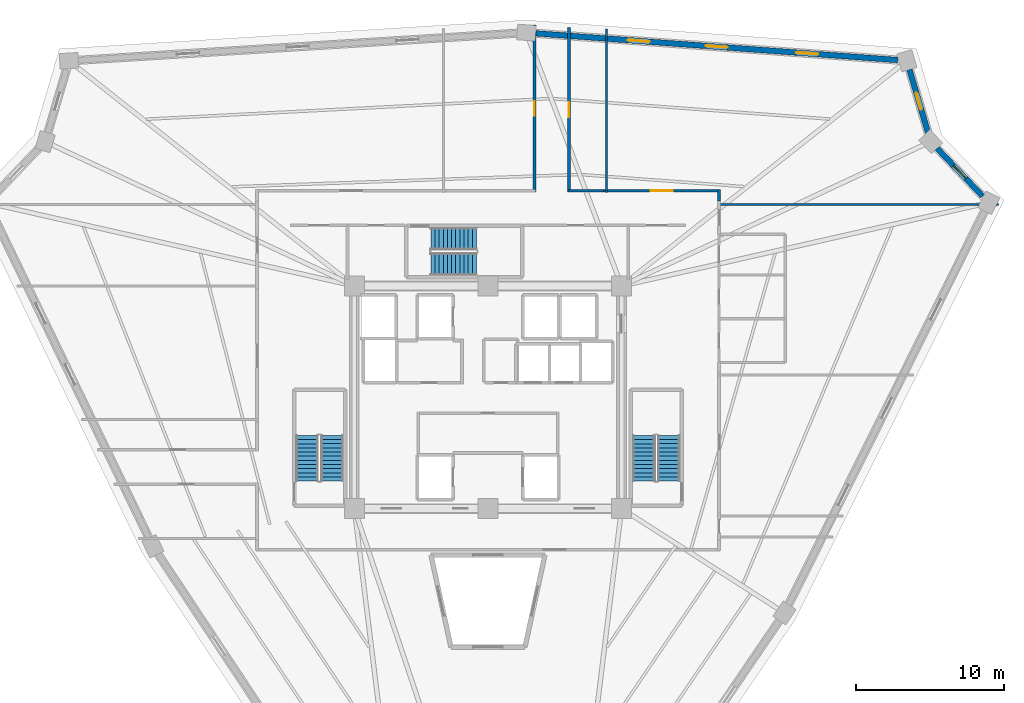
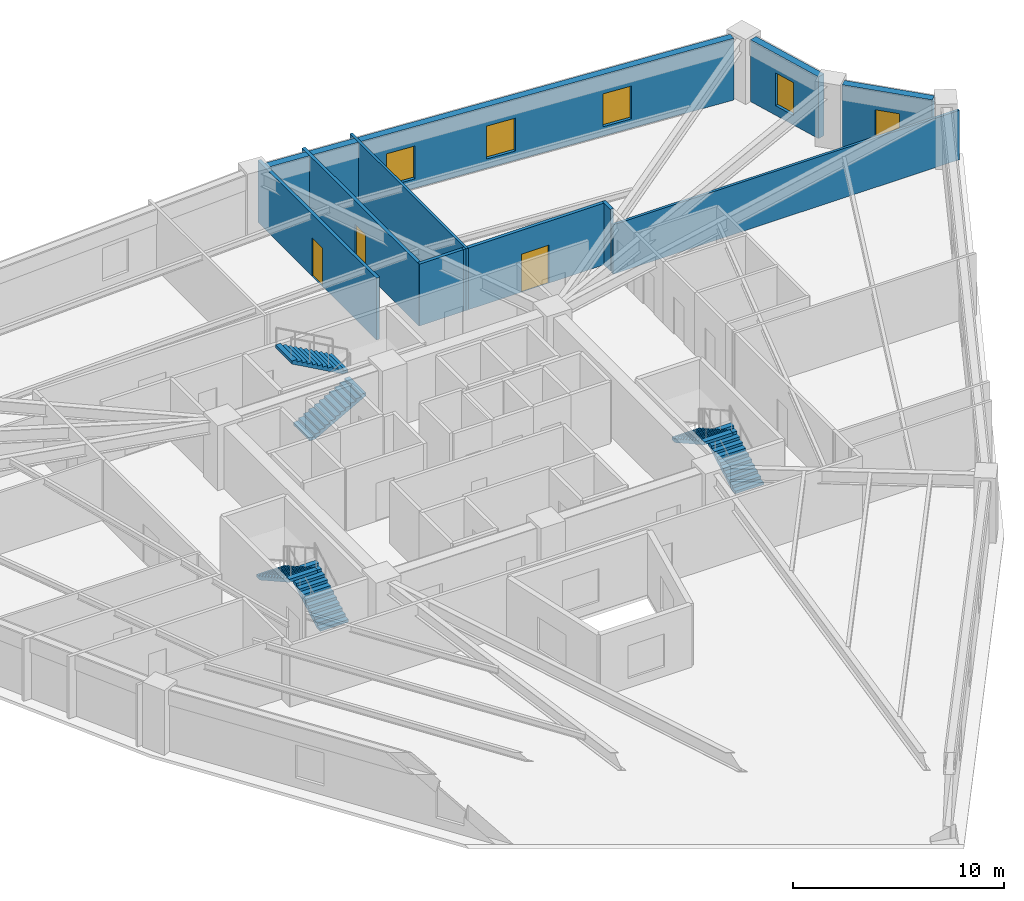
# One storey, part 7 of 8: 10 walls, 6 stair flights, 5 windows, 3 doors, 8 openings, 3 elements without a shape of their own.
"""IFC4 building model written with IfcOpenShell, lengths in metres."""

from ifc_helpers import new_model, si_unit, direction, frame, frame_2d, origin, place, context, subcontext, project, spatial, polyline, rectangle, outline, extrude, source, transform, mapped, material, layer, layer_set, type_object, element, fill, aggregate, save


model = new_model("IFC4")

# Units and contexts
model_context = context("Model", 3, precision=1e-05, world=origin(), true_north=direction((0.0, 1.0)))
body_context = subcontext(model_context, "Body", "Model", "MODEL_VIEW")
ifc_project = project(units=[si_unit("LENGTHUNIT", "METRE"), si_unit("AREAUNIT", "SQUARE_METRE"), si_unit("VOLUMEUNIT", "CUBIC_METRE"), si_unit("PLANEANGLEUNIT", "RADIAN"), si_unit("MASSUNIT", "GRAM", prefix="KILO")], contexts=[model_context])

# Site, building, storey
site_placement = place(None, origin())
site = spatial("IfcSite", under=ifc_project, at=site_placement, CompositionType="ELEMENT")
building_placement = place(site_placement, origin())
building = spatial("IfcBuilding", under=site, at=building_placement, Name="Liaohun Quay Tower", CompositionType="ELEMENT")
storey_placement = place(building_placement, frame((0.0, 0.0, 205.5)))
storey = spatial("IfcBuildingStorey", under=building, at=storey_placement, Name="L53", CompositionType="ELEMENT", Elevation=205.5)

# Wall, opening, window
ifc_material_1 = material(Name="Precast concrete C50 insulated sandwich", Category="concrete")
ifc_layer_1 = layer(ifc_material_1, 0.3798828125, Name="Precast concrete C50 insulated sandwich", Category="concrete")
ifc_layer_set_1 = layer_set([ifc_layer_1], Name="Precast concrete C50 insulated sandwich")
wall_type_1 = type_object("IfcWallType", Name="WAL-EXT-Z34", PredefinedType="SOLIDWALL", material=ifc_layer_set_1)
wall_1_placement = place(storey_placement, frame((93.31201171875, 67.553955078125, 0.0), z_axis=(0.0, 0.0, 1.0), x_axis=(-0.689339649611, 0.724438297906, 0.0)))
wall_1 = element("IfcWall", 1, at=wall_1_placement, inside=storey, type_object=wall_type_1, Name="L53 Brutalist Precast Pier Wall 04", PredefinedType="SOLIDWALL", context=body_context, shape_type="SweptSolid", body=[
    extrude(rectangle(XDim=4.44482421875, YDim=0.3798828125, at=frame_2d((2.222412109375, 0.0))), origin(), (0.0, 0.0, 1.0), 3.570068359375),
])
shared_shape_1 = source(origin(), body_context, "Body", "SweptSolid", [
    extrude(rectangle(XDim=1.199951171875, YDim=1.89990234375, at=frame_2d((0.60009765625, 0.949951171875))), frame((0.0, 0.199951171875, 0.0), z_axis=(0.0, -1.0, 0.0), x_axis=(1.0, 0.0, 0.0)), (0.0, 0.0, 1.0), 0.39990234375),
])
opening_1_placement = place(wall_1_placement, frame((1.6220703125, 0.0, 0.550048828125)))
opening_1 = element("IfcOpeningElement", 2, at=opening_1_placement, cuts=wall_1, Name="Opening W05", PredefinedType="OPENING", context=body_context, shape_type="MappedRepresentation", body=[
    mapped(shared_shape_1, transform((0.0, 0.0, 0.0), x_axis=(1.0, 0.0, 0.0), y_axis=(0.0, 1.0, 0.0), z_axis=(0.0, 0.0, 1.0), scale=1.0)),
])
ifc_material_2 = material(Name="Triple Low-E corner notch glazing", Category="glass")
window_type_1 = type_object("IfcWindowType", Name="WIN-NOTCH", PartitioningType="SINGLE_PANEL", PredefinedType="WINDOW", material=ifc_material_2)
shared_shape_2 = source(origin(), body_context, "Body", "SweptSolid", [
    extrude(rectangle(XDim=1.199951171875, YDim=1.89990234375, at=frame_2d((0.60009765625, 0.949951171875))), frame((0.0, 0.030029296875, 0.0), z_axis=(0.0, -1.0, 0.0), x_axis=(1.0, 0.0, 0.0)), (0.0, 0.0, 1.0), 0.06005859375),
])
window_1_placement = place(opening_1_placement, origin())
window_1 = element("IfcWindow", 3, at=window_1_placement, inside=storey, type_object=window_type_1, Name="L53 Corner Notch Window W05-04", OverallHeight=1.89990234375, OverallWidth=1.199951171875, PartitioningType="SINGLE_PANEL", PredefinedType="WINDOW", context=body_context, shape_type="MappedRepresentation", body=[
    mapped(shared_shape_2, transform((0.0, 0.0, 0.0), x_axis=(1.0, 0.0, 0.0), y_axis=(0.0, 1.0, 0.0), z_axis=(0.0, 0.0, 1.0), scale=1.0)),
])
fill(opening_1, window_1)

wall_2_placement = place(storey_placement, frame((89.64990234375, 71.80908203125, 0.0), z_axis=(0.0, 0.0, 1.0), x_axis=(-0.282504740452, 0.95926590246, 0.0)))
wall_2 = element("IfcWall", 4, at=wall_2_placement, inside=storey, type_object=wall_type_1, Name="L53 Brutalist Precast Pier Wall 05", PredefinedType="SOLIDWALL", context=body_context, shape_type="SweptSolid", body=[
    extrude(rectangle(XDim=4.452392578125, YDim=0.3798828125, at=frame_2d((2.22607421875, 0.0))), origin(), (0.0, 0.0, 1.0), 3.570068359375),
])
opening_2_placement = place(wall_2_placement, frame((1.6259765625, 0.0, 0.550048828125)))
opening_2 = element("IfcOpeningElement", 5, at=opening_2_placement, cuts=wall_2, Name="Opening W05", PredefinedType="OPENING", context=body_context, shape_type="MappedRepresentation", body=[
    mapped(shared_shape_1, transform((0.0, 0.0, 0.0), x_axis=(1.0, 0.0, 0.0), y_axis=(0.0, 1.0, 0.0), z_axis=(0.0, 0.0, 1.0), scale=1.0)),
])
window_2_placement = place(opening_2_placement, origin())
window_2 = element("IfcWindow", 6, at=window_2_placement, inside=storey, type_object=window_type_1, Name="L53 Corner Notch Window W05-05", OverallHeight=1.89990234375, OverallWidth=1.199951171875, PartitioningType="SINGLE_PANEL", PredefinedType="WINDOW", context=body_context, shape_type="MappedRepresentation", body=[
    mapped(shared_shape_2, transform((0.0, 0.0, 0.0), x_axis=(1.0, 0.0, 0.0), y_axis=(0.0, 1.0, 0.0), z_axis=(0.0, 0.0, 1.0), scale=1.0)),
])
fill(opening_2, window_2)

# Wall, openings, windows
wall_3_placement = place(storey_placement, frame((87.60498046875, 76.715087890625, 0.0), z_axis=(0.0, 0.0, 1.0), x_axis=(-0.997283768188, 0.073655181142, 0.0)))
wall_3 = element("IfcWall", 7, at=wall_3_placement, inside=storey, type_object=wall_type_1, Name="L53 Brutalist Precast Pier Wall 06", PredefinedType="SOLIDWALL", context=body_context, shape_type="SweptSolid", body=[
    extrude(rectangle(XDim=24.46533203125, YDim=0.3798828125, at=frame_2d((12.232666015625, 0.0))), origin(), (0.0, 0.0, 1.0), 3.570068359375),
])
shared_shape_3 = source(origin(), body_context, "Body", "SweptSolid", [
    extrude(rectangle(XDim=1.5, YDim=1.89990234375, at=frame_2d((0.75, 0.949951171875))), frame((0.0, 0.199951171875, 0.0), z_axis=(0.0, -1.0, 0.0), x_axis=(1.0, 0.0, 0.0)), (0.0, 0.0, 1.0), 0.39990234375),
])
opening_3_placement = place(wall_3_placement, frame((5.365966796875, 0.0, 0.550048828125)))
opening_3 = element("IfcOpeningElement", 8, at=opening_3_placement, cuts=wall_3, Name="Opening W03", PredefinedType="OPENING", context=body_context, shape_type="MappedRepresentation", body=[
    mapped(shared_shape_3, transform((0.0, 0.0, 0.0), x_axis=(1.0, 0.0, 0.0), y_axis=(0.0, 1.0, 0.0), z_axis=(0.0, 0.0, 1.0), scale=1.0)),
])
opening_4_placement = place(wall_3_placement, frame((11.48291015625, 0.0, 0.550048828125)))
opening_4 = element("IfcOpeningElement", 9, at=opening_4_placement, cuts=wall_3, Name="Opening W03", PredefinedType="OPENING", context=body_context, shape_type="MappedRepresentation", body=[
    mapped(shared_shape_3, transform((0.0, 0.0, 0.0), x_axis=(1.0, 0.0, 0.0), y_axis=(0.0, 1.0, 0.0), z_axis=(0.0, 0.0, 1.0), scale=1.0)),
])
opening_5_placement = place(wall_3_placement, frame((16.7490234375, 0.0, 0.550048828125)))
opening_5 = element("IfcOpeningElement", 10, at=opening_5_placement, cuts=wall_3, Name="Opening W03", PredefinedType="OPENING", context=body_context, shape_type="MappedRepresentation", body=[
    mapped(shared_shape_3, transform((0.0, 0.0, 0.0), x_axis=(1.0, 0.0, 0.0), y_axis=(0.0, 1.0, 0.0), z_axis=(0.0, 0.0, 1.0), scale=1.0)),
])
ifc_material_3 = material(Name="Triple Low-E argon glazing in thermally broken aluminium", Category="aluminium")
window_type_2 = type_object("IfcWindowType", Name="WIN-PUN-Z3", PartitioningType="DOUBLE_PANEL_VERTICAL", PredefinedType="WINDOW", material=ifc_material_3)
shared_shape_4 = source(origin(), body_context, "Body", "SweptSolid", [
    extrude(rectangle(XDim=1.5, YDim=1.89990234375, at=frame_2d((0.75, 0.949951171875))), frame((0.0, 0.030029296875, 0.0), z_axis=(0.0, -1.0, 0.0), x_axis=(1.0, 0.0, 0.0)), (0.0, 0.0, 1.0), 0.06005859375),
])
window_3_placement = place(opening_3_placement, origin())
window_3 = element("IfcWindow", 11, at=window_3_placement, inside=storey, type_object=window_type_2, Name="L53 Recessed Cold-Climate Punched Window 06-1", OverallHeight=1.89990234375, OverallWidth=1.5, PartitioningType="DOUBLE_PANEL_VERTICAL", PredefinedType="WINDOW", context=body_context, shape_type="MappedRepresentation", body=[
    mapped(shared_shape_4, transform((0.0, 0.0, 0.0), x_axis=(1.0, 0.0, 0.0), y_axis=(0.0, 1.0, 0.0), z_axis=(0.0, 0.0, 1.0), scale=1.0)),
])
fill(opening_3, window_3)
window_4_placement = place(opening_4_placement, origin())
window_4 = element("IfcWindow", 12, at=window_4_placement, inside=storey, type_object=window_type_2, Name="L53 Recessed Cold-Climate Punched Window 06-2", OverallHeight=1.89990234375, OverallWidth=1.5, PartitioningType="DOUBLE_PANEL_VERTICAL", PredefinedType="WINDOW", context=body_context, shape_type="MappedRepresentation", body=[
    mapped(shared_shape_4, transform((0.0, 0.0, 0.0), x_axis=(1.0, 0.0, 0.0), y_axis=(0.0, 1.0, 0.0), z_axis=(0.0, 0.0, 1.0), scale=1.0)),
])
fill(opening_4, window_4)
window_5_placement = place(opening_5_placement, origin())
window_5 = element("IfcWindow", 13, at=window_5_placement, inside=storey, type_object=window_type_2, Name="L53 Recessed Cold-Climate Punched Window 06-3", OverallHeight=1.89990234375, OverallWidth=1.5, PartitioningType="DOUBLE_PANEL_VERTICAL", PredefinedType="WINDOW", context=body_context, shape_type="MappedRepresentation", body=[
    mapped(shared_shape_4, transform((0.0, 0.0, 0.0), x_axis=(1.0, 0.0, 0.0), y_axis=(0.0, 1.0, 0.0), z_axis=(0.0, 0.0, 1.0), scale=1.0)),
])
fill(opening_5, window_5)

# Wall, opening, door
ifc_material_4 = material(Name="Autoclaved aerated concrete blockwork", Category="masonry")
ifc_layer_2 = layer(ifc_material_4, 0.179931640625, Name="Autoclaved aerated concrete blockwork", Category="masonry")
ifc_layer_set_2 = layer_set([ifc_layer_2], Name="Autoclaved aerated concrete blockwork")
wall_type_2 = type_object("IfcWallType", Name="WAL-PRT-COR", PredefinedType="PARTITIONING", material=ifc_layer_set_2)
wall_4_placement = place(storey_placement, frame((67.784912109375, 67.909912109375, 0.0), z_axis=(0.0, 0.0, 1.0), x_axis=(1.0, 0.0, 0.0)))
wall_4 = element("IfcWall", 14, at=wall_4_placement, inside=storey, type_object=wall_type_2, Name="L53 Interior Partition Wall 012", PredefinedType="PARTITIONING", context=body_context, shape_type="SweptSolid", body=[
    extrude(rectangle(XDim=7.844970703125, YDim=0.179931640625, at=frame_2d((3.92236328125, 0.0))), origin(), (0.0, 0.0, 1.0), 3.570068359375),
])
shared_shape_5 = source(origin(), body_context, "Body", "SweptSolid", [
    extrude(rectangle(XDim=1.5, YDim=2.199951171875, at=frame_2d((0.75, 1.10009765625))), frame((0.0, 0.099853515625, 0.0), z_axis=(0.0, -1.0, 0.0), x_axis=(1.0, 0.0, 0.0)), (0.0, 0.0, 1.0), 0.199951171875),
])
opening_6_placement = place(wall_4_placement, frame((3.172119140625, 0.0, 0.0)))
opening_6 = element("IfcOpeningElement", 15, at=opening_6_placement, cuts=wall_4, Name="Opening OD2", PredefinedType="OPENING", context=body_context, shape_type="MappedRepresentation", body=[
    mapped(shared_shape_5, transform((0.0, 0.0, 0.0), x_axis=(1.0, 0.0, 0.0), y_axis=(0.0, 1.0, 0.0), z_axis=(0.0, 0.0, 1.0), scale=1.0)),
])
ifc_material_5 = material(Name="Acoustic oak veneer double door")
door_type_1 = type_object("IfcDoorType", Name="DOR-OFF-1500", OperationType="DOUBLE_DOOR_SINGLE_SWING", PredefinedType="DOOR", material=ifc_material_5)
shared_shape_6 = source(origin(), body_context, "Body", "SweptSolid", [
    extrude(rectangle(XDim=1.5, YDim=2.199951171875, at=frame_2d((0.75, 1.10009765625))), frame((0.0, 0.02490234375, 0.0), z_axis=(0.0, -1.0, 0.0), x_axis=(1.0, 0.0, 0.0)), (0.0, 0.0, 1.0), 0.050048828125),
])
door_1_placement = place(opening_6_placement, origin())
door_1 = element("IfcDoor", 16, at=door_1_placement, inside=storey, type_object=door_type_1, Name="L53 Occupational Wellness Clinic 02 Door", OperationType="DOUBLE_DOOR_SINGLE_SWING", OverallHeight=2.199951171875, OverallWidth=1.5, PredefinedType="DOOR", context=body_context, shape_type="MappedRepresentation", body=[
    mapped(shared_shape_6, transform((0.0, 0.0, 0.0), x_axis=(1.0, 0.0, 0.0), y_axis=(0.0, 1.0, 0.0), z_axis=(0.0, 0.0, 1.0), scale=1.0)),
])
fill(opening_6, door_1)

wall_5_placement = place(storey_placement, frame((65.4599609375, 78.89208984375, 0.0), z_axis=(0.0, 0.0, 1.0), x_axis=(0.0, -1.0, 0.0)))
wall_5 = element("IfcWall", 17, at=wall_5_placement, inside=storey, type_object=wall_type_2, Name="L53 Interior Partition Wall 013", PredefinedType="PARTITIONING", context=body_context, shape_type="SweptSolid", body=[
    extrude(rectangle(XDim=11.052001953125, YDim=0.179931640625, at=frame_2d((5.52587890625, 0.0))), origin(), (0.0, 0.0, 1.0), 3.570068359375),
])
shared_shape_7 = source(origin(), body_context, "Body", "SweptSolid", [
    extrude(rectangle(XDim=1.0, YDim=2.199951171875, at=frame_2d((0.5, 1.10009765625))), frame((0.0, 0.099853515625, 0.0), z_axis=(0.0, -1.0, 0.0), x_axis=(1.0, 0.0, 0.0)), (0.0, 0.0, 1.0), 0.199951171875),
])
opening_7_placement = place(wall_5_placement, frame((5.02587890625, 0.0, 0.0)))
opening_7 = element("IfcOpeningElement", 18, at=opening_7_placement, cuts=wall_5, Name="Opening OD1", PredefinedType="OPENING", context=body_context, shape_type="MappedRepresentation", body=[
    mapped(shared_shape_7, transform((0.0, 0.0, 0.0), x_axis=(1.0, 0.0, 0.0), y_axis=(0.0, 1.0, 0.0), z_axis=(0.0, 0.0, 1.0), scale=1.0)),
])
ifc_material_6 = material(Name="Solid-core oak veneer timber leaf in steel frame", Category="steel")
door_type_2 = type_object("IfcDoorType", Name="DOR-OFF-1000", OperationType="NOTDEFINED", PredefinedType="DOOR", material=ifc_material_6)
shared_shape_8 = source(origin(), body_context, "Body", "SweptSolid", [
    extrude(rectangle(XDim=1.0, YDim=2.199951171875, at=frame_2d((0.5, 1.10009765625))), frame((0.0, 0.02490234375, 0.0), z_axis=(0.0, -1.0, 0.0), x_axis=(1.0, 0.0, 0.0)), (0.0, 0.0, 1.0), 0.050048828125),
])
door_2_placement = place(opening_7_placement, origin())
door_2 = element("IfcDoor", 19, at=door_2_placement, inside=storey, type_object=door_type_2, Name="L53 Staff Daycare Nursery 03 Door", OperationType="SINGLE_SWING_RIGHT", OverallHeight=2.199951171875, OverallWidth=1.0, PredefinedType="DOOR", context=body_context, shape_type="MappedRepresentation", body=[
    mapped(shared_shape_8, transform((0.0, 0.0, 0.0), x_axis=(1.0, 0.0, 0.0), y_axis=(0.0, 1.0, 0.0), z_axis=(0.0, 0.0, 1.0), scale=1.0)),
])
fill(opening_7, door_2)

wall_6_placement = place(storey_placement, frame((63.139892578125, 67.840087890625, 0.0), z_axis=(0.0, 0.0, 1.0), x_axis=(0.0, 1.0, 0.0)))
wall_6 = element("IfcWall", 20, at=wall_6_placement, inside=storey, type_object=wall_type_2, Name="L53 Interior Partition Wall 014", PredefinedType="PARTITIONING", context=body_context, shape_type="SweptSolid", body=[
    extrude(rectangle(XDim=11.222900390625, YDim=0.179931640625, at=frame_2d((5.611328125, 0.0))), origin(), (0.0, 0.0, 1.0), 3.570068359375),
])
opening_8_placement = place(wall_6_placement, frame((5.111083984375, 0.0, 0.0)))
opening_8 = element("IfcOpeningElement", 21, at=opening_8_placement, cuts=wall_6, Name="Opening OD1", PredefinedType="OPENING", context=body_context, shape_type="MappedRepresentation", body=[
    mapped(shared_shape_7, transform((0.0, 0.0, 0.0), x_axis=(1.0, 0.0, 0.0), y_axis=(0.0, 1.0, 0.0), z_axis=(0.0, 0.0, 1.0), scale=1.0)),
])
door_3_placement = place(opening_8_placement, origin())
door_3 = element("IfcDoor", 22, at=door_3_placement, inside=storey, type_object=door_type_2, Name="L53 Project Collaboration Studio 04 Door", OperationType="SINGLE_SWING_LEFT", OverallHeight=2.199951171875, OverallWidth=1.0, PredefinedType="DOOR", context=body_context, shape_type="MappedRepresentation", body=[
    mapped(shared_shape_8, transform((0.0, 0.0, 0.0), x_axis=(1.0, 0.0, 0.0), y_axis=(0.0, 1.0, 0.0), z_axis=(0.0, 0.0, 1.0), scale=1.0)),
])
fill(opening_8, door_3)

# Walls
wall_7_placement = place(storey_placement, frame((75.56005859375, 67.97998046875, 0.0), z_axis=(0.0, 0.0, 1.0), x_axis=(0.0, -1.0, 0.0)))
element("IfcWall", 23, at=wall_7_placement, inside=storey, type_object=wall_type_2, Name="L53 Interior Partition Wall 034", PredefinedType="PARTITIONING", context=body_context, shape_type="SweptSolid", body=[
    extrude(rectangle(XDim=0.764892578125, YDim=0.179931640625, at=frame_2d((0.38232421875, 0.0))), origin(), (0.0, 0.0, 1.0), 3.570068359375),
])
wall_8_placement = place(storey_placement, frame((65.389892578125, 67.909912109375, 0.0), z_axis=(0.0, 0.0, 1.0), x_axis=(1.0, 0.0, 0.0)))
element("IfcWall", 24, at=wall_8_placement, inside=storey, type_object=wall_type_2, Name="L53 Interior Partition Wall 035", PredefinedType="PARTITIONING", context=body_context, shape_type="SweptSolid", body=[
    extrude(rectangle(XDim=2.39501953125, YDim=0.179931640625, at=frame_2d((1.197509765625, 0.0))), origin(), (0.0, 0.0, 1.0), 3.570068359375),
])
ifc_material_7 = material(Name="Gypsum board on twin steel studs", Category="steel")
ifc_layer_3 = layer(ifc_material_7, 0.139892578125, Name="Gypsum board on twin steel studs", Category="steel")
ifc_layer_set_3 = layer_set([ifc_layer_3], Name="Gypsum board on twin steel studs")
wall_type_3 = type_object("IfcWallType", Name="WAL-PRT-OFF", PredefinedType="PARTITIONING", material=ifc_layer_set_3)
wall_9_placement = place(storey_placement, frame((75.4599609375, 67.0, 0.0), z_axis=(0.0, 0.0, 1.0), x_axis=(1.0, 0.0, 0.0)))
element("IfcWall", 25, at=wall_9_placement, inside=storey, type_object=wall_type_3, Name="L53 Interior Partition Wall 049", PredefinedType="PARTITIONING", context=body_context, shape_type="SweptSolid", body=[
    extrude(rectangle(XDim=18.925048828125, YDim=0.139892578125, at=frame_2d((9.46240234375, 0.0))), origin(), (0.0, 0.0, 1.0), 2.85498046875),
])
wall_10_placement = place(storey_placement, frame((68.0, 67.81005859375, 0.0), z_axis=(0.0, 0.0, 1.0), x_axis=(0.0, 1.0, 0.0)))
element("IfcWall", 26, at=wall_10_placement, inside=storey, type_object=wall_type_3, Name="L53 Interior Partition Wall 051", PredefinedType="PARTITIONING", context=body_context, shape_type="SweptSolid", body=[
    extrude(rectangle(XDim=10.98388671875, YDim=0.139892578125, at=frame_2d((5.491943359375, 0.0))), origin(), (0.0, 0.0, 1.0), 3.570068359375),
])

# Stair, stair flights
ifc_material_8 = material(Name="Concrete C45", Category="concrete")
stair_type = type_object("IfcStairType", Name="STR-CORE-OFF", PredefinedType="HALF_TURN_STAIR", material=ifc_material_8)
stair_1_placement = place(storey_placement, origin())
stair_1 = element("IfcStair", 27, at=stair_1_placement, inside=storey, type_object=stair_type, Name="L53 Smokeproof Core Exit Stair ST-1", PredefinedType="HALF_TURN_STAIR")
stair_flight_type = type_object("IfcStairFlightType", Name="FLT-CORE-155", PredefinedType="STRAIGHT", material=ifc_material_8)
stair_flight_1_placement = place(storey_placement, frame((49.5048828125, 48.35009765625, 0.0), z_axis=(0.0, 0.0, 1.0), x_axis=(0.0, 1.0, 0.0)))
stair_flight_1 = element("IfcStairFlight", 28, at=stair_flight_1_placement, type_object=stair_flight_type, Name="ST-1 flight 1", NumberOfRisers=12, NumberOfTreads=11, PredefinedType="STRAIGHT", RiserHeight=0.15625, TreadLength=0.28, context=body_context, shape_type="SweptSolid", body=[
    extrude(outline(polyline([(0.0, 0.0), (0.0, 0.15625), (0.280029296875, 0.15625), (0.280029296875, 0.3125), (0.56005859375, 0.3125), (0.56005859375, 0.46875), (0.840087890625, 0.46875), (0.840087890625, 0.625), (1.1201171875, 0.625), (1.1201171875, 0.78125), (1.39990234375, 0.78125), (1.39990234375, 0.9375), (1.679931640625, 0.9375), (1.679931640625, 1.09375), (1.9599609375, 1.09375), (1.9599609375, 1.25), (2.239990234375, 1.25), (2.239990234375, 1.40625), (2.52001953125, 1.40625), (2.52001953125, 1.5625), (2.800048828125, 1.5625), (2.800048828125, 1.71875), (3.080078125, 1.71875), (3.080078125, 1.875), (3.080078125, 1.547119140625), (0.3076171875, 0.0), (0.0, 0.0)])), frame((0.0, 0.77490234375, 0.0), z_axis=(0.0, -1.0, 0.0), x_axis=(1.0, 0.0, 0.0)), (0.0, 0.0, 1.0), 1.550048828125),
])
stair_flight_2_placement = place(storey_placement, frame((47.81494140625, 51.429931640625, 1.875), z_axis=(0.0, 0.0, 1.0), x_axis=(0.0, -1.0, 0.0)))
stair_flight_2 = element("IfcStairFlight", 29, at=stair_flight_2_placement, type_object=stair_flight_type, Name="ST-1 flight 2", NumberOfRisers=12, NumberOfTreads=11, PredefinedType="STRAIGHT", RiserHeight=0.15625, TreadLength=0.28, context=body_context, shape_type="SweptSolid", body=[
    extrude(outline(polyline([(0.0, 0.0), (0.0, 0.15625), (0.280029296875, 0.15625), (0.280029296875, 0.3125), (0.56005859375, 0.3125), (0.56005859375, 0.46875), (0.840087890625, 0.46875), (0.840087890625, 0.625), (1.1201171875, 0.625), (1.1201171875, 0.78125), (1.39990234375, 0.78125), (1.39990234375, 0.9375), (1.679931640625, 0.9375), (1.679931640625, 1.09375), (1.9599609375, 1.09375), (1.9599609375, 1.25), (2.239990234375, 1.25), (2.239990234375, 1.40625), (2.52001953125, 1.40625), (2.52001953125, 1.5625), (2.800048828125, 1.5625), (2.800048828125, 1.71875), (3.080078125, 1.71875), (3.080078125, 1.875), (3.080078125, 1.547119140625), (0.3076171875, 0.0), (0.0, 0.0)])), frame((0.0, 0.77490234375, 0.0), z_axis=(0.0, -1.0, 0.0), x_axis=(1.0, 0.0, 0.0)), (0.0, 0.0, 1.0), 1.550048828125),
])
aggregate(stair_1, [stair_flight_1, stair_flight_2])

stair_2_placement = place(storey_placement, origin())
stair_2 = element("IfcStair", 30, at=stair_2_placement, inside=storey, type_object=stair_type, Name="L53 Smokeproof Core Exit Stair ST-2", PredefinedType="HALF_TURN_STAIR")
stair_flight_3_placement = place(storey_placement, frame((72.18505859375, 48.35009765625, 0.0), z_axis=(0.0, 0.0, 1.0), x_axis=(0.0, 1.0, 0.0)))
stair_flight_3 = element("IfcStairFlight", 31, at=stair_flight_3_placement, type_object=stair_flight_type, Name="ST-2 flight 1", NumberOfRisers=12, NumberOfTreads=11, PredefinedType="STRAIGHT", RiserHeight=0.15625, TreadLength=0.28, context=body_context, shape_type="SweptSolid", body=[
    extrude(outline(polyline([(0.0, 0.0), (0.0, 0.15625), (0.280029296875, 0.15625), (0.280029296875, 0.3125), (0.56005859375, 0.3125), (0.56005859375, 0.46875), (0.840087890625, 0.46875), (0.840087890625, 0.625), (1.1201171875, 0.625), (1.1201171875, 0.78125), (1.39990234375, 0.78125), (1.39990234375, 0.9375), (1.679931640625, 0.9375), (1.679931640625, 1.09375), (1.9599609375, 1.09375), (1.9599609375, 1.25), (2.239990234375, 1.25), (2.239990234375, 1.40625), (2.52001953125, 1.40625), (2.52001953125, 1.5625), (2.800048828125, 1.5625), (2.800048828125, 1.71875), (3.080078125, 1.71875), (3.080078125, 1.875), (3.080078125, 1.547119140625), (0.3076171875, 0.0), (0.0, 0.0)])), frame((0.0, 0.77490234375, 0.0), z_axis=(0.0, -1.0, 0.0), x_axis=(1.0, 0.0, 0.0)), (0.0, 0.0, 1.0), 1.550048828125),
])
stair_flight_4_placement = place(storey_placement, frame((70.4951171875, 51.429931640625, 1.875), z_axis=(0.0, 0.0, 1.0), x_axis=(0.0, -1.0, 0.0)))
stair_flight_4 = element("IfcStairFlight", 32, at=stair_flight_4_placement, type_object=stair_flight_type, Name="ST-2 flight 2", NumberOfRisers=12, NumberOfTreads=11, PredefinedType="STRAIGHT", RiserHeight=0.15625, TreadLength=0.28, context=body_context, shape_type="SweptSolid", body=[
    extrude(outline(polyline([(0.0, 0.0), (0.0, 0.15625), (0.280029296875, 0.15625), (0.280029296875, 0.3125), (0.56005859375, 0.3125), (0.56005859375, 0.46875), (0.840087890625, 0.46875), (0.840087890625, 0.625), (1.1201171875, 0.625), (1.1201171875, 0.78125), (1.39990234375, 0.78125), (1.39990234375, 0.9375), (1.679931640625, 0.9375), (1.679931640625, 1.09375), (1.9599609375, 1.09375), (1.9599609375, 1.25), (2.239990234375, 1.25), (2.239990234375, 1.40625), (2.52001953125, 1.40625), (2.52001953125, 1.5625), (2.800048828125, 1.5625), (2.800048828125, 1.71875), (3.080078125, 1.71875), (3.080078125, 1.875), (3.080078125, 1.547119140625), (0.3076171875, 0.0), (0.0, 0.0)])), frame((0.0, 0.77490234375, 0.0), z_axis=(0.0, -1.0, 0.0), x_axis=(1.0, 0.0, 0.0)), (0.0, 0.0, 1.0), 1.550048828125),
])
aggregate(stair_2, [stair_flight_3, stair_flight_4])

stair_3_placement = place(storey_placement, origin())
stair_3 = element("IfcStair", 33, at=stair_3_placement, inside=storey, type_object=stair_type, Name="L53 Smokeproof Core Exit Stair ST-3", PredefinedType="HALF_TURN_STAIR")
stair_flight_5_placement = place(storey_placement, frame((56.14990234375, 62.97509765625, 0.0), z_axis=(0.0, 0.0, 1.0), x_axis=(1.0, 0.0, 0.0)))
stair_flight_5 = element("IfcStairFlight", 34, at=stair_flight_5_placement, type_object=stair_flight_type, Name="ST-3 flight 1", NumberOfRisers=12, NumberOfTreads=11, PredefinedType="STRAIGHT", RiserHeight=0.15625, TreadLength=0.28, context=body_context, shape_type="SweptSolid", body=[
    extrude(outline(polyline([(0.0, 0.0), (0.0, 0.15625), (0.280029296875, 0.15625), (0.280029296875, 0.3125), (0.56005859375, 0.3125), (0.56005859375, 0.46875), (0.840087890625, 0.46875), (0.840087890625, 0.625), (1.1201171875, 0.625), (1.1201171875, 0.78125), (1.39990234375, 0.78125), (1.39990234375, 0.9375), (1.679931640625, 0.9375), (1.679931640625, 1.09375), (1.9599609375, 1.09375), (1.9599609375, 1.25), (2.239990234375, 1.25), (2.239990234375, 1.40625), (2.52001953125, 1.40625), (2.52001953125, 1.5625), (2.800048828125, 1.5625), (2.800048828125, 1.71875), (3.080078125, 1.71875), (3.080078125, 1.875), (3.080078125, 1.547119140625), (0.3076171875, 0.0), (0.0, 0.0)])), frame((0.0, 0.77490234375, 0.0), z_axis=(0.0, -1.0, 0.0), x_axis=(1.0, 0.0, 0.0)), (0.0, 0.0, 1.0), 1.550048828125),
])
stair_flight_6_placement = place(storey_placement, frame((59.22998046875, 64.6650390625, 1.875), z_axis=(0.0, 0.0, 1.0), x_axis=(-1.0, 0.0, 0.0)))
stair_flight_6 = element("IfcStairFlight", 35, at=stair_flight_6_placement, type_object=stair_flight_type, Name="ST-3 flight 2", NumberOfRisers=12, NumberOfTreads=11, PredefinedType="STRAIGHT", RiserHeight=0.15625, TreadLength=0.28, context=body_context, shape_type="SweptSolid", body=[
    extrude(outline(polyline([(0.0, 0.0), (0.0, 0.15625), (0.280029296875, 0.15625), (0.280029296875, 0.3125), (0.56005859375, 0.3125), (0.56005859375, 0.46875), (0.840087890625, 0.46875), (0.840087890625, 0.625), (1.1201171875, 0.625), (1.1201171875, 0.78125), (1.39990234375, 0.78125), (1.39990234375, 0.9375), (1.679931640625, 0.9375), (1.679931640625, 1.09375), (1.9599609375, 1.09375), (1.9599609375, 1.25), (2.239990234375, 1.25), (2.239990234375, 1.40625), (2.52001953125, 1.40625), (2.52001953125, 1.5625), (2.800048828125, 1.5625), (2.800048828125, 1.71875), (3.080078125, 1.71875), (3.080078125, 1.875), (3.080078125, 1.547119140625), (0.3076171875, 0.0), (0.0, 0.0)])), frame((0.0, 0.77490234375, 0.0), z_axis=(0.0, -1.0, 0.0), x_axis=(1.0, 0.0, 0.0)), (0.0, 0.0, 1.0), 1.550048828125),
])
aggregate(stair_3, [stair_flight_5, stair_flight_6])

save(model, "model.ifc")
